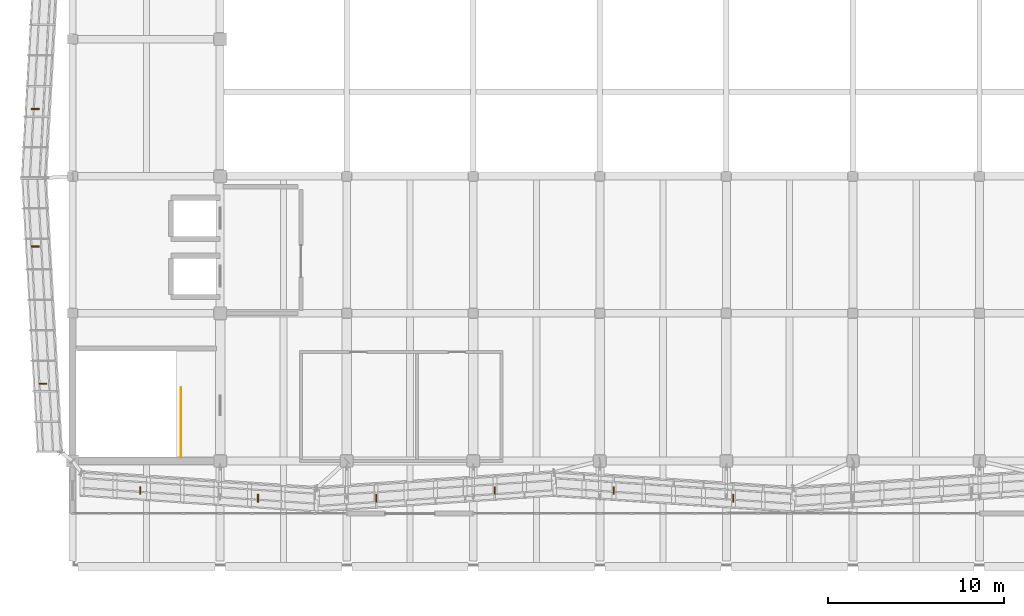
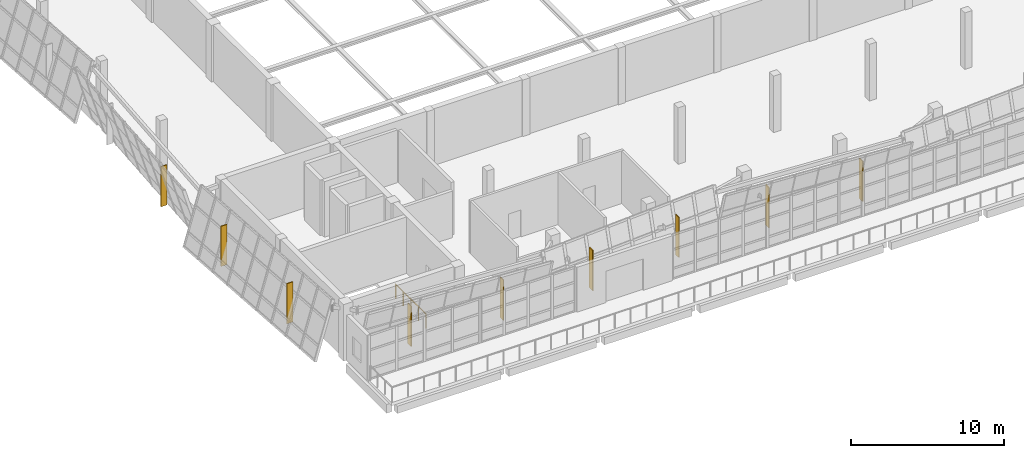
# One storey, part 59 of 67: 9 shading devices, 1 railing.
"""IFC4 building model written with IfcOpenShell, lengths in metres."""

from ifc_helpers import new_model, si_unit, direction, frame, origin, origin_2d, place, context, subcontext, project, spatial, rectangle, circle, extrude, material, type_object, element, save


model = new_model("IFC4")

# Units and contexts
model_context = context("Model", 3, precision=1e-05, world=origin(), true_north=direction((0.0, 1.0)))
body_context = subcontext(model_context, "Body", "Model", "MODEL_VIEW")
ifc_project = project(units=[si_unit("LENGTHUNIT", "METRE"), si_unit("AREAUNIT", "SQUARE_METRE"), si_unit("VOLUMEUNIT", "CUBIC_METRE"), si_unit("PLANEANGLEUNIT", "RADIAN"), si_unit("MASSUNIT", "GRAM", prefix="KILO")], contexts=[model_context])

# Site, building, storey
site_placement = place(None, origin())
site = spatial("IfcSite", under=ifc_project, at=site_placement, CompositionType="ELEMENT")
building_placement = place(site_placement, origin())
building = spatial("IfcBuilding", under=site, at=building_placement, Name="Pellamere Symphony Hall", CompositionType="ELEMENT")
storey_placement = place(building_placement, frame((0.0, 0.0, 19.5)))
storey = spatial("IfcBuildingStorey", under=building, at=storey_placement, Name="L04", CompositionType="ELEMENT", Elevation=19.5)

# Shading devices
ifc_material_1 = material(Name="Champagne-Anodised Extruded Aluminium 6063-T6", Category="aluminium")
shading_device_type = type_object("IfcShadingDeviceType", Name="Exterior Shading SD-01 65x450", PredefinedType="SHUTTER", material=ifc_material_1)
for number, where, z_axis, x_axis, name in (
    (1, (54.25, 28.318603515625, 0.64990234375), (0.0, 0.0, 1.0), (1.0, 0.0, 0.0), "Crystal Acoustic Sunshade Fin CW-CR01 (L04)"),
    (2, (60.949951171875, 27.868408203125, 0.64990234375), (0.0, 0.0, 1.0), (1.0, 0.0, 0.0), "Crystal Acoustic Sunshade Fin CW-CR01 (L04)"),
    (3, (67.675048828125, 27.868408203125, 0.64990234375), (0.0, 0.0, 1.0), (1.0, 0.0, 0.0), "Crystal Acoustic Sunshade Fin CW-CR02 (L04)"),
    (4, (74.425048828125, 28.318603515625, 0.64990234375), (0.0, 0.0, 1.0), (1.0, 0.0, 0.0), "Crystal Acoustic Sunshade Fin CW-CR02 (L04)"),
    (5, (81.199951171875, 28.318603515625, 0.64990234375), (0.0, 0.0, 1.0), (1.0, 0.0, 0.0), "Crystal Acoustic Sunshade Fin CW-CR03 (L04)"),
    (6, (88.0, 27.868408203125, 0.64990234375), (0.0, 0.0, 1.0), (1.0, 0.0, 0.0), "Crystal Acoustic Sunshade Fin CW-CR03 (L04)"),
    (7, (48.2685546875, 50.02490234375, 0.64990234375), (0.0, 0.0, 1.0), (0.0, 1.0, 0.0), "Crystal Acoustic Sunshade Fin CW-CR17 (L04)"),
    (8, (48.2685546875, 42.199951171875, 0.64990234375), (0.0, 0.0, 1.0), (0.0, 1.0, 0.0), "Crystal Acoustic Sunshade Fin CW-CR18 (L04)"),
    (9, (48.718505859375, 34.39990234375, 0.64990234375), (0.0, 0.0, 1.0), (0.0, 1.0, 0.0), "Crystal Acoustic Sunshade Fin CW-CR18 (L04)"),
):
    element("IfcShadingDevice", number, at=place(storey_placement, frame(where, z_axis=z_axis, x_axis=x_axis)), inside=storey, type_object=shading_device_type, Name=name, PredefinedType="SHUTTER", context=body_context, shape_type="SweptSolid", body=[
        extrude(rectangle(XDim=0.06494140625, YDim=0.449951171875, at=origin_2d()), origin(), (0.0, 0.0, 1.0), 3.199951171875),
    ])

# Railing
ifc_material_2 = material(Name="Painted Steel CSA G40.21 350W", Category="steel")
railing_type = type_object("IfcRailingType", Name="Guardrail GR-02 H1150 Painted", PredefinedType="GUARDRAIL", material=ifc_material_2)
railing_placement = place(storey_placement, frame((56.574951171875, 30.2099609375, 0.0)))
element("IfcRailing", 10, at=railing_placement, inside=storey, type_object=railing_type, Name="Stair ST01-L03 Top Landing Well Guard (L04)", PredefinedType="GUARDRAIL", context=body_context, shape_type="SweptSolid", body=[
    extrude(circle(Radius=0.02392578125, at=origin_2d()), frame((0.0, 0.0, 1.1259765625), z_axis=(0.0, 1.0, 0.0), x_axis=(-1.0, 0.0, 0.0)), (0.0, 0.0, 1.0), 3.949951171875),
    extrude(circle(Radius=0.02099609375, at=origin_2d()), origin(), (0.0, 0.0, 1.0), 1.101806640625),
    extrude(circle(Radius=0.02099609375, at=origin_2d()), frame((0.0, 0.987548828125, 0.0)), (0.0, 0.0, 1.0), 1.101806640625),
    extrude(circle(Radius=0.02099609375, at=origin_2d()), frame((0.0, 1.97509765625, 0.0)), (0.0, 0.0, 1.0), 1.101806640625),
    extrude(circle(Radius=0.02099609375, at=origin_2d()), frame((0.0, 2.96240234375, 0.0)), (0.0, 0.0, 1.0), 1.101806640625),
    extrude(circle(Radius=0.02099609375, at=origin_2d()), frame((0.0, 3.949951171875, 0.0)), (0.0, 0.0, 1.0), 1.101806640625),
])

save(model, "model.ifc")
